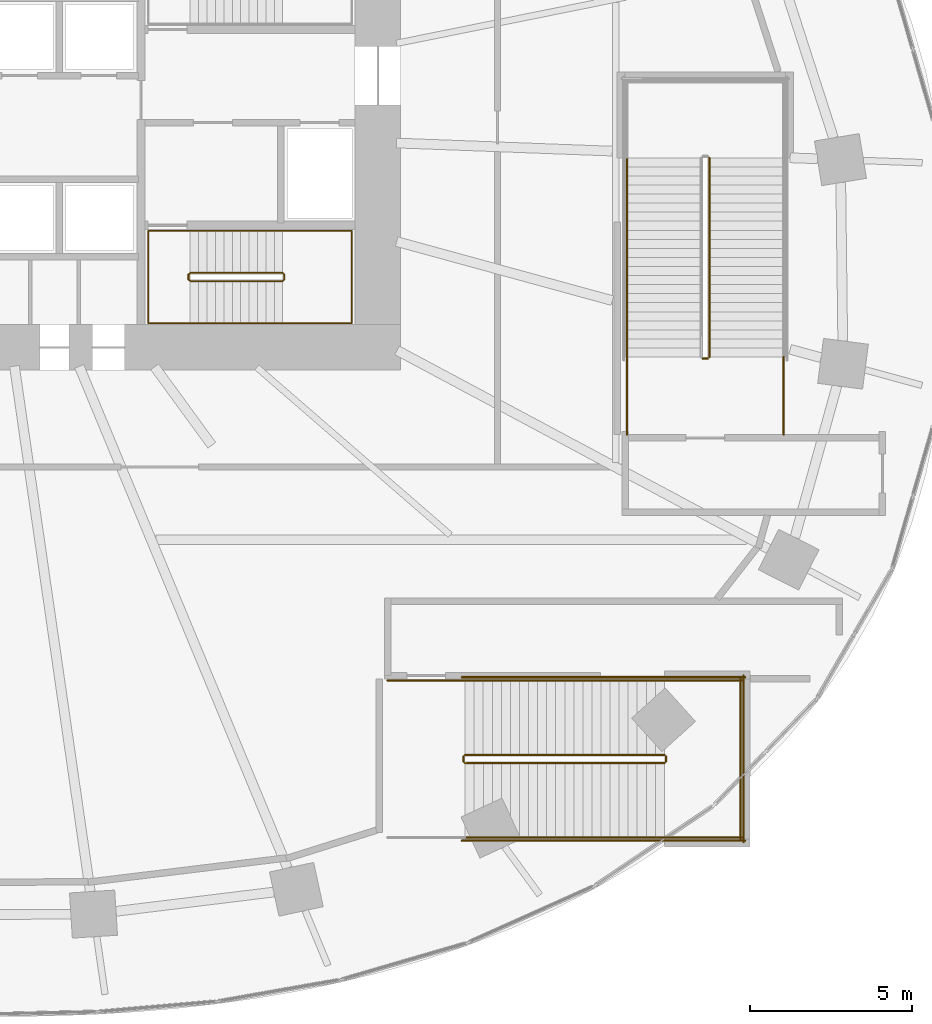
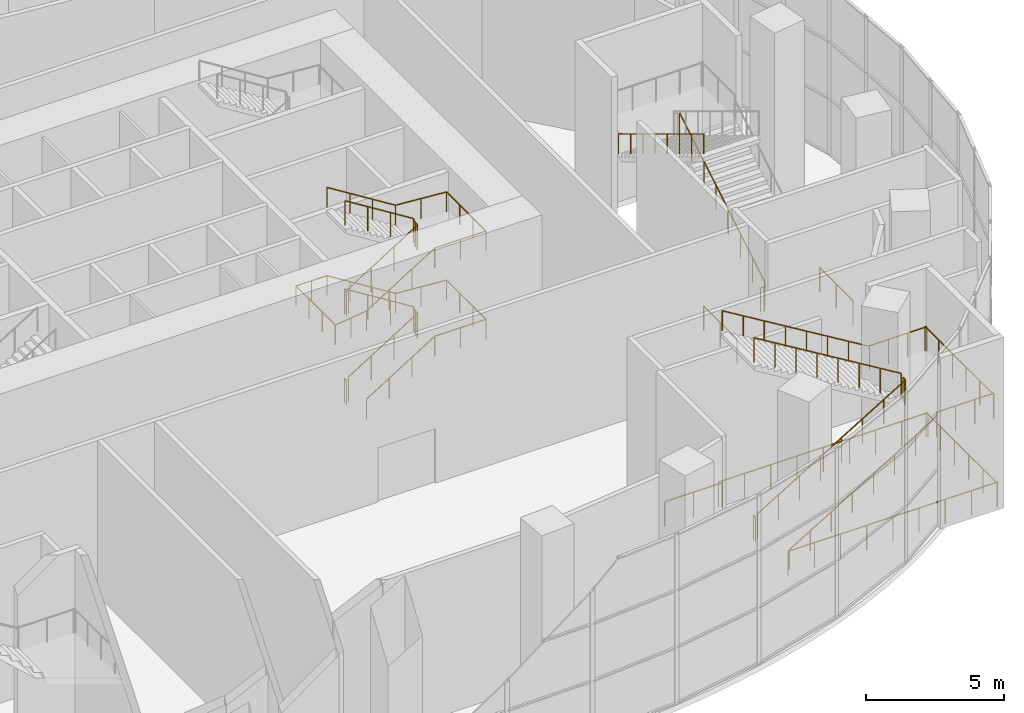
# One storey, part 20 of 22: 21 railings.
"""IFC4 building model written with IfcOpenShell, lengths in metres."""

from ifc_helpers import new_model, si_unit, direction, frame, origin, origin_2d, place, context, subcontext, project, spatial, circle, extrude, material, type_object, element, save


model = new_model("IFC4")

# Units and contexts
model_context = context("Model", 3, precision=1e-05, world=origin(), true_north=direction((0.0, 1.0)))
body_context = subcontext(model_context, "Body", "Model", "MODEL_VIEW")
ifc_project = project(units=[si_unit("LENGTHUNIT", "METRE"), si_unit("AREAUNIT", "SQUARE_METRE"), si_unit("VOLUMEUNIT", "CUBIC_METRE"), si_unit("PLANEANGLEUNIT", "RADIAN"), si_unit("MASSUNIT", "GRAM", prefix="KILO")], contexts=[model_context])

# Site, building, storey
site_placement = place(None, origin())
site = spatial("IfcSite", under=ifc_project, at=site_placement, CompositionType="ELEMENT")
building_placement = place(site_placement, origin())
building = spatial("IfcBuilding", under=site, at=building_placement, Name="Rubra Terraces Tower", CompositionType="ELEMENT")
storey_placement = place(building_placement, frame((0.0, 0.0, 15.0)))
storey = spatial("IfcBuildingStorey", under=building, at=storey_placement, Name="L02", CompositionType="ELEMENT", Elevation=15.0)

# Railings
ifc_material = material(Name="Stainless steel", Category="steel")
railing_type_1 = type_object("IfcRailingType", Name="Core stair guard 1100", PredefinedType="GUARDRAIL", material=ifc_material)
railing_1_placement = place(storey_placement, frame((6.5, -0.25, 0.16259765625)))
element("IfcRailing", 1, at=railing_1_placement, inside=storey, type_object=railing_type_1, Name="L02 stair S4 guard 1", PredefinedType="GUARDRAIL", context=body_context, shape_type="SweptSolid", body=[
    extrude(circle(Radius=0.02392578125, at=origin_2d()), frame((0.0, 0.0, 1.076171875), z_axis=(0.848026770018, 0.0, 0.529953391661), x_axis=(0.0, 1.0, 0.0)), (0.0, 0.0, 1.0), 3.37255859375),
    extrude(circle(Radius=0.02392578125, at=origin_2d()), frame((2.860107421875, 0.0, 2.86328125), z_axis=(0.705375805398, 0.708833529934, 0.0), x_axis=(-0.708833529934, 0.705375805398, 0.0)), (0.0, 0.0, 1.0), 0.070556640625),
    extrude(circle(Radius=0.02392578125, at=origin_2d()), frame((2.909912109375, 0.050048828125, 2.86328125), z_axis=(0.0, 1.0, 0.0), x_axis=(-1.0, 0.0, 0.0)), (0.0, 0.0, 1.0), 0.14990234375),
    extrude(circle(Radius=0.02392578125, at=origin_2d()), frame((2.909912109375, 0.199951171875, 2.86328125), z_axis=(-0.280959487676, 0.282336740067, 0.917250092119), x_axis=(-0.708833529934, -0.705375805398, 0.0)), (0.0, 0.0, 1.0), 0.17724609375),
    extrude(circle(Radius=0.02392578125, at=origin_2d()), frame((2.860107421875, 0.25, 3.02587890625), z_axis=(-0.848026770018, 0.0, 0.529953391661), x_axis=(0.0, -1.0, 0.0)), (0.0, 0.0, 1.0), 3.37255859375),
    extrude(circle(Radius=0.02392578125, at=origin_2d()), frame((0.0, 0.25, 4.8134765625), z_axis=(-0.707106781187, -0.707106781187, 0.0), x_axis=(0.707106781187, -0.707106781187, 0.0)), (0.0, 0.0, 1.0), 0.07080078125),
    extrude(circle(Radius=0.02392578125, at=origin_2d()), frame((-0.050048828125, 0.199951171875, 4.8134765625), z_axis=(0.0, -1.0, 0.0), x_axis=(1.0, 0.0, 0.0)), (0.0, 0.0, 1.0), 0.14990234375),
    extrude(circle(Radius=0.02392578125, at=origin_2d()), frame((-0.050048828125, 0.050048828125, 4.8134765625), z_axis=(0.282227285176, -0.282227285176, 0.916894497205), x_axis=(0.707106781187, 0.707106781187, 0.0)), (0.0, 0.0, 1.0), 0.17724609375),
    extrude(circle(Radius=0.02392578125, at=origin_2d()), frame((0.0, 0.0, 4.97607421875), z_axis=(0.847994237388, 0.0, 0.530005446535), x_axis=(0.0, 1.0, 0.0)), (0.0, 0.0, 1.0), 3.372802734375),
    extrude(circle(Radius=0.02392578125, at=origin_2d()), frame((2.860107421875, 0.0, 6.763671875), z_axis=(0.705375805398, 0.708833529934, 0.0), x_axis=(-0.708833529934, 0.705375805398, 0.0)), (0.0, 0.0, 1.0), 0.070556640625),
    extrude(circle(Radius=0.02392578125, at=origin_2d()), frame((2.909912109375, 0.050048828125, 6.763671875), z_axis=(0.0, 1.0, 0.0), x_axis=(-1.0, 0.0, 0.0)), (0.0, 0.0, 1.0), 0.14990234375),
    extrude(circle(Radius=0.02392578125, at=origin_2d()), frame((2.909912109375, 0.199951171875, 6.763671875), z_axis=(-0.281314826061, 0.282693820306, 0.917031173188), x_axis=(-0.708833529934, -0.705375805398, 0.0)), (0.0, 0.0, 1.0), 0.177001953125),
    extrude(circle(Radius=0.02392578125, at=origin_2d()), frame((2.860107421875, 0.25, 6.92578125), z_axis=(-0.847994237388, 0.0, 0.530005446535), x_axis=(0.0, -1.0, 0.0)), (0.0, 0.0, 1.0), 3.372802734375),
    extrude(circle(Radius=0.02099609375, at=origin_2d()), origin(), (0.0, 0.0, 1.0), 1.052001953125),
    extrude(circle(Radius=0.02099609375, at=origin_2d()), frame((0.953369140625, 0.0, 0.595703125)), (0.0, 0.0, 1.0), 1.052001953125),
    extrude(circle(Radius=0.02099609375, at=origin_2d()), frame((1.90673828125, 0.0, 1.191650390625)), (0.0, 0.0, 1.0), 1.052001953125),
    extrude(circle(Radius=0.02099609375, at=origin_2d()), frame((2.860107421875, 0.0, 1.787353515625)), (0.0, 0.0, 1.0), 1.052001953125),
    extrude(circle(Radius=0.02099609375, at=origin_2d()), frame((2.909912109375, 0.050048828125, 1.787353515625)), (0.0, 0.0, 1.0), 1.052001953125),
    extrude(circle(Radius=0.02099609375, at=origin_2d()), frame((2.909912109375, 0.199951171875, 1.787353515625)), (0.0, 0.0, 1.0), 1.052001953125),
    extrude(circle(Radius=0.02099609375, at=origin_2d()), frame((2.860107421875, 0.25, 1.949951171875)), (0.0, 0.0, 1.0), 1.052001953125),
    extrude(circle(Radius=0.02099609375, at=origin_2d()), frame((1.90673828125, 0.25, 2.545654296875)), (0.0, 0.0, 1.0), 1.052001953125),
    extrude(circle(Radius=0.02099609375, at=origin_2d()), frame((0.953369140625, 0.25, 3.1416015625)), (0.0, 0.0, 1.0), 1.052001953125),
    extrude(circle(Radius=0.02099609375, at=origin_2d()), frame((0.0, 0.25, 3.7373046875)), (0.0, 0.0, 1.0), 1.052001953125),
    extrude(circle(Radius=0.02099609375, at=origin_2d()), frame((-0.050048828125, 0.199951171875, 3.7373046875)), (0.0, 0.0, 1.0), 1.052001953125),
    extrude(circle(Radius=0.02099609375, at=origin_2d()), frame((-0.050048828125, 0.050048828125, 3.7373046875)), (0.0, 0.0, 1.0), 1.052001953125),
    extrude(circle(Radius=0.02099609375, at=origin_2d()), frame((0.0, 0.0, 3.89990234375)), (0.0, 0.0, 1.0), 1.052001953125),
    extrude(circle(Radius=0.02099609375, at=origin_2d()), frame((0.953369140625, 0.0, 4.495849609375)), (0.0, 0.0, 1.0), 1.052001953125),
    extrude(circle(Radius=0.02099609375, at=origin_2d()), frame((1.90673828125, 0.0, 5.091552734375)), (0.0, 0.0, 1.0), 1.052001953125),
    extrude(circle(Radius=0.02099609375, at=origin_2d()), frame((2.860107421875, 0.0, 5.6875)), (0.0, 0.0, 1.0), 1.052001953125),
    extrude(circle(Radius=0.02099609375, at=origin_2d()), frame((2.909912109375, 0.050048828125, 5.6875)), (0.0, 0.0, 1.0), 1.052001953125),
    extrude(circle(Radius=0.02099609375, at=origin_2d()), frame((2.909912109375, 0.199951171875, 5.6875)), (0.0, 0.0, 1.0), 1.052001953125),
    extrude(circle(Radius=0.02099609375, at=origin_2d()), frame((2.860107421875, 0.25, 5.849853515625)), (0.0, 0.0, 1.0), 1.052001953125),
    extrude(circle(Radius=0.02099609375, at=origin_2d()), frame((1.90673828125, 0.25, 6.44580078125)), (0.0, 0.0, 1.0), 1.052001953125),
    extrude(circle(Radius=0.02099609375, at=origin_2d()), frame((0.953369140625, 0.25, 7.04150390625)), (0.0, 0.0, 1.0), 1.052001953125),
    extrude(circle(Radius=0.02099609375, at=origin_2d()), frame((0.0, 0.25, 7.637451171875)), (0.0, 0.0, 1.0), 1.052001953125),
])
railing_2_placement = place(storey_placement, frame((6.449951171875, -0.199951171875, 0.0)))
element("IfcRailing", 2, at=railing_2_placement, inside=storey, type_object=railing_type_1, Name="L02 stair S4 guard 2", PredefinedType="GUARDRAIL", context=body_context, shape_type="SweptSolid", body=[
    extrude(circle(Radius=0.02392578125, at=origin_2d()), frame((0.0, 0.0, 1.076171875), z_axis=(0.0, 1.0, 0.0), x_axis=(-1.0, 0.0, 0.0)), (0.0, 0.0, 1.0), 0.14990234375),
    extrude(circle(Radius=0.02099609375, at=origin_2d()), origin(), (0.0, 0.0, 1.0), 1.052001953125),
    extrude(circle(Radius=0.02099609375, at=origin_2d()), frame((0.0, 0.14990234375, 0.0)), (0.0, 0.0, 1.0), 1.052001953125),
])
railing_type_2 = type_object("IfcRailingType", Name="Core stair handrail 900", PredefinedType="HANDRAIL", material=ifc_material)
railing_3_placement = place(storey_placement, frame((6.5, -1.550048828125, 0.16259765625)))
element("IfcRailing", 3, at=railing_3_placement, inside=storey, type_object=railing_type_2, Name="L02 stair S4 handrail 1", PredefinedType="HANDRAIL", context=body_context, shape_type="SweptSolid", body=[
    extrude(circle(Radius=0.02392578125, at=origin_2d()), frame((0.0, 0.0, 0.8759765625), z_axis=(0.848026770018, 0.0, 0.529953391661), x_axis=(0.0, 1.0, 0.0)), (0.0, 0.0, 1.0), 3.37255859375),
    extrude(circle(Radius=0.02392578125, at=origin_2d()), frame((2.860107421875, 0.0, 2.6630859375), z_axis=(1.0, 0.0, 0.0), x_axis=(0.0, 1.0, 0.0)), (0.0, 0.0, 1.0), 2.139892578125),
    extrude(circle(Radius=0.02392578125, at=origin_2d()), frame((5.0, 0.0, 2.6630859375), z_axis=(0.0, 1.0, 0.0), x_axis=(-1.0, 0.0, 0.0)), (0.0, 0.0, 1.0), 2.85009765625),
    extrude(circle(Radius=0.02392578125, at=origin_2d()), frame((5.0, 2.85009765625, 2.6630859375), z_axis=(-0.997125654253, 0.0, 0.075765623016), x_axis=(0.0, -1.0, 0.0)), (0.0, 0.0, 1.0), 2.14599609375),
    extrude(circle(Radius=0.02392578125, at=origin_2d()), frame((2.860107421875, 2.85009765625, 2.82568359375), z_axis=(-0.848026770018, 0.0, 0.529953391661), x_axis=(0.0, -1.0, 0.0)), (0.0, 0.0, 1.0), 3.37255859375),
    extrude(circle(Radius=0.02392578125, at=origin_2d()), frame((0.0, 2.85009765625, 4.61328125), z_axis=(-1.0, 0.0, 0.0), x_axis=(0.0, -1.0, 0.0)), (0.0, 0.0, 1.0), 1.300048828125),
    extrude(circle(Radius=0.02392578125, at=origin_2d()), frame((-1.300048828125, 2.85009765625, 4.61328125), z_axis=(0.0, -1.0, 0.0), x_axis=(1.0, 0.0, 0.0)), (0.0, 0.0, 1.0), 2.85009765625),
    extrude(circle(Radius=0.02392578125, at=origin_2d()), frame((-1.300048828125, 0.0, 4.61328125), z_axis=(0.992269273945, 0.0, 0.124103537361), x_axis=(0.0, 1.0, 0.0)), (0.0, 0.0, 1.0), 1.31005859375),
    extrude(circle(Radius=0.02392578125, at=origin_2d()), frame((0.0, 0.0, 4.77587890625), z_axis=(0.847994237388, 0.0, 0.530005446535), x_axis=(0.0, 1.0, 0.0)), (0.0, 0.0, 1.0), 3.372802734375),
    extrude(circle(Radius=0.02392578125, at=origin_2d()), frame((2.860107421875, 0.0, 6.5634765625), z_axis=(1.0, 0.0, 0.0), x_axis=(0.0, 1.0, 0.0)), (0.0, 0.0, 1.0), 2.139892578125),
    extrude(circle(Radius=0.02392578125, at=origin_2d()), frame((5.0, 0.0, 6.5634765625), z_axis=(0.0, 1.0, 0.0), x_axis=(-1.0, 0.0, 0.0)), (0.0, 0.0, 1.0), 2.85009765625),
    extrude(circle(Radius=0.02392578125, at=origin_2d()), frame((5.0, 2.85009765625, 6.5634765625), z_axis=(-0.9971342424, 0.0, 0.075652512401), x_axis=(0.0, -1.0, 0.0)), (0.0, 0.0, 1.0), 2.14599609375),
    extrude(circle(Radius=0.02392578125, at=origin_2d()), frame((2.860107421875, 2.85009765625, 6.7255859375), z_axis=(-0.847994237388, 0.0, 0.530005446535), x_axis=(0.0, -1.0, 0.0)), (0.0, 0.0, 1.0), 3.372802734375),
    extrude(circle(Radius=0.02099609375, at=origin_2d()), origin(), (0.0, 0.0, 1.0), 0.851806640625),
    extrude(circle(Radius=0.02099609375, at=origin_2d()), frame((0.953369140625, 0.0, 0.595703125)), (0.0, 0.0, 1.0), 0.851806640625),
    extrude(circle(Radius=0.02099609375, at=origin_2d()), frame((1.90673828125, 0.0, 1.191650390625)), (0.0, 0.0, 1.0), 0.851806640625),
    extrude(circle(Radius=0.02099609375, at=origin_2d()), frame((2.860107421875, 0.0, 1.787353515625)), (0.0, 0.0, 1.0), 0.851806640625),
    extrude(circle(Radius=0.02099609375, at=origin_2d()), frame((3.93017578125, 0.0, 1.787353515625)), (0.0, 0.0, 1.0), 0.851806640625),
    extrude(circle(Radius=0.02099609375, at=origin_2d()), frame((5.0, 0.0, 1.787353515625)), (0.0, 0.0, 1.0), 0.851806640625),
    extrude(circle(Radius=0.02099609375, at=origin_2d()), frame((5.0, 0.949951171875, 1.787353515625)), (0.0, 0.0, 1.0), 0.851806640625),
    extrude(circle(Radius=0.02099609375, at=origin_2d()), frame((5.0, 1.900146484375, 1.787353515625)), (0.0, 0.0, 1.0), 0.851806640625),
    extrude(circle(Radius=0.02099609375, at=origin_2d()), frame((5.0, 2.85009765625, 1.787353515625)), (0.0, 0.0, 1.0), 0.851806640625),
    extrude(circle(Radius=0.02099609375, at=origin_2d()), frame((3.93017578125, 2.85009765625, 1.86865234375)), (0.0, 0.0, 1.0), 0.851806640625),
    extrude(circle(Radius=0.02099609375, at=origin_2d()), frame((2.860107421875, 2.85009765625, 1.949951171875)), (0.0, 0.0, 1.0), 0.851806640625),
    extrude(circle(Radius=0.02099609375, at=origin_2d()), frame((1.90673828125, 2.85009765625, 2.545654296875)), (0.0, 0.0, 1.0), 0.851806640625),
    extrude(circle(Radius=0.02099609375, at=origin_2d()), frame((0.953369140625, 2.85009765625, 3.1416015625)), (0.0, 0.0, 1.0), 0.851806640625),
    extrude(circle(Radius=0.02099609375, at=origin_2d()), frame((0.0, 2.85009765625, 3.7373046875)), (0.0, 0.0, 1.0), 0.851806640625),
    extrude(circle(Radius=0.02099609375, at=origin_2d()), frame((-0.64990234375, 2.85009765625, 3.7373046875)), (0.0, 0.0, 1.0), 0.851806640625),
    extrude(circle(Radius=0.02099609375, at=origin_2d()), frame((-1.300048828125, 2.85009765625, 3.7373046875)), (0.0, 0.0, 1.0), 0.851806640625),
    extrude(circle(Radius=0.02099609375, at=origin_2d()), frame((-1.300048828125, 1.900146484375, 3.7373046875)), (0.0, 0.0, 1.0), 0.851806640625),
    extrude(circle(Radius=0.02099609375, at=origin_2d()), frame((-1.300048828125, 0.949951171875, 3.7373046875)), (0.0, 0.0, 1.0), 0.851806640625),
    extrude(circle(Radius=0.02099609375, at=origin_2d()), frame((-1.300048828125, 0.0, 3.7373046875)), (0.0, 0.0, 1.0), 0.851806640625),
    extrude(circle(Radius=0.02099609375, at=origin_2d()), frame((-0.64990234375, 0.0, 3.818603515625)), (0.0, 0.0, 1.0), 0.851806640625),
    extrude(circle(Radius=0.02099609375, at=origin_2d()), frame((0.0, 0.0, 3.89990234375)), (0.0, 0.0, 1.0), 0.851806640625),
    extrude(circle(Radius=0.02099609375, at=origin_2d()), frame((0.953369140625, 0.0, 4.495849609375)), (0.0, 0.0, 1.0), 0.851806640625),
    extrude(circle(Radius=0.02099609375, at=origin_2d()), frame((1.90673828125, 0.0, 5.091552734375)), (0.0, 0.0, 1.0), 0.851806640625),
    extrude(circle(Radius=0.02099609375, at=origin_2d()), frame((2.860107421875, 0.0, 5.6875)), (0.0, 0.0, 1.0), 0.851806640625),
    extrude(circle(Radius=0.02099609375, at=origin_2d()), frame((3.93017578125, 0.0, 5.6875)), (0.0, 0.0, 1.0), 0.851806640625),
    extrude(circle(Radius=0.02099609375, at=origin_2d()), frame((5.0, 0.0, 5.6875)), (0.0, 0.0, 1.0), 0.851806640625),
    extrude(circle(Radius=0.02099609375, at=origin_2d()), frame((5.0, 0.949951171875, 5.6875)), (0.0, 0.0, 1.0), 0.851806640625),
    extrude(circle(Radius=0.02099609375, at=origin_2d()), frame((5.0, 1.900146484375, 5.6875)), (0.0, 0.0, 1.0), 0.851806640625),
    extrude(circle(Radius=0.02099609375, at=origin_2d()), frame((5.0, 2.85009765625, 5.6875)), (0.0, 0.0, 1.0), 0.851806640625),
    extrude(circle(Radius=0.02099609375, at=origin_2d()), frame((3.93017578125, 2.85009765625, 5.7685546875)), (0.0, 0.0, 1.0), 0.851806640625),
    extrude(circle(Radius=0.02099609375, at=origin_2d()), frame((2.860107421875, 2.85009765625, 5.849853515625)), (0.0, 0.0, 1.0), 0.851806640625),
    extrude(circle(Radius=0.02099609375, at=origin_2d()), frame((1.90673828125, 2.85009765625, 6.44580078125)), (0.0, 0.0, 1.0), 0.851806640625),
    extrude(circle(Radius=0.02099609375, at=origin_2d()), frame((0.953369140625, 2.85009765625, 7.04150390625)), (0.0, 0.0, 1.0), 0.851806640625),
    extrude(circle(Radius=0.02099609375, at=origin_2d()), frame((0.0, 2.85009765625, 7.637451171875)), (0.0, 0.0, 1.0), 0.851806640625),
])
railing_type_3 = type_object("IfcRailingType", Name="Public stair guard 1100", PredefinedType="GUARDRAIL", material=ifc_material)
railing_4_placement = place(storey_placement, frame((22.550048828125, -2.60009765625, 0.169677734375)))
element("IfcRailing", 4, at=railing_4_placement, inside=storey, type_object=railing_type_3, Name="L02 PS2 stair guard 1", PredefinedType="GUARDRAIL", context=body_context, shape_type="SweptSolid", body=[
    extrude(circle(Radius=0.02392578125, at=origin_2d()), frame((0.0, 0.0, 1.076171875), z_axis=(0.0, 0.855394938475, 0.51797635007), x_axis=(-1.0, 0.0, 0.0)), (0.0, 0.0, 1.0), 7.201416015625),
    extrude(circle(Radius=0.02099609375, at=origin_2d()), origin(), (0.0, 0.0, 1.0), 1.052001953125),
    extrude(circle(Radius=0.02099609375, at=origin_2d()), frame((0.0, 0.880126953125, 0.532958984375)), (0.0, 0.0, 1.0), 1.052001953125),
    extrude(circle(Radius=0.02099609375, at=origin_2d()), frame((0.0, 1.760009765625, 1.065673828125)), (0.0, 0.0, 1.0), 1.052001953125),
    extrude(circle(Radius=0.02099609375, at=origin_2d()), frame((0.0, 2.64013671875, 1.5986328125)), (0.0, 0.0, 1.0), 1.052001953125),
    extrude(circle(Radius=0.02099609375, at=origin_2d()), frame((0.0, 3.52001953125, 2.131591796875)), (0.0, 0.0, 1.0), 1.052001953125),
    extrude(circle(Radius=0.02099609375, at=origin_2d()), frame((0.0, 4.400146484375, 2.66455078125)), (0.0, 0.0, 1.0), 1.052001953125),
    extrude(circle(Radius=0.02099609375, at=origin_2d()), frame((0.0, 5.280029296875, 3.197265625)), (0.0, 0.0, 1.0), 1.052001953125),
    extrude(circle(Radius=0.02099609375, at=origin_2d()), frame((0.0, 6.16015625, 3.730224609375)), (0.0, 0.0, 1.0), 1.052001953125),
])
railing_5_placement = place(storey_placement, frame((22.5, -2.64990234375, 0.0)))
element("IfcRailing", 5, at=railing_5_placement, inside=storey, type_object=railing_type_3, Name="L02 PS2 stair guard 7", PredefinedType="GUARDRAIL", context=body_context, shape_type="SweptSolid", body=[
    extrude(circle(Radius=0.02392578125, at=origin_2d()), frame((0.0, 0.0, 1.076171875), z_axis=(-1.0, 0.0, 0.0), x_axis=(0.0, -1.0, 0.0)), (0.0, 0.0, 1.0), 0.14990234375),
    extrude(circle(Radius=0.02099609375, at=origin_2d()), origin(), (0.0, 0.0, 1.0), 1.052001953125),
    extrude(circle(Radius=0.02099609375, at=origin_2d()), frame((-0.14990234375, 0.0, 0.0)), (0.0, 0.0, 1.0), 1.052001953125),
])
for number, where, name in (
    (6, (24.85009765625, -5.0, 0.0), "L02 PS2 stair guard 8"),
    (7, (20.0, -5.0, 0.0), "L02 PS2 stair guard 9"),
):
    element("IfcRailing", number, at=place(storey_placement, frame(where)), inside=storey, type_object=railing_type_3, Name=name, PredefinedType="GUARDRAIL", context=body_context, shape_type="SweptSolid", body=[
        extrude(circle(Radius=0.02392578125, at=origin_2d()), frame((0.0, 0.0, 1.076171875), z_axis=(0.0, 1.0, 0.0), x_axis=(-1.0, 0.0, 0.0)), (0.0, 0.0, 1.0), 2.39990234375),
        extrude(circle(Radius=0.02099609375, at=origin_2d()), origin(), (0.0, 0.0, 1.0), 1.052001953125),
        extrude(circle(Radius=0.02099609375, at=origin_2d()), frame((0.0, 1.199951171875, 0.0)), (0.0, 0.0, 1.0), 1.052001953125),
        extrude(circle(Radius=0.02099609375, at=origin_2d()), frame((0.0, 2.39990234375, 0.0)), (0.0, 0.0, 1.0), 1.052001953125),
    ])
railing_6_placement = place(storey_placement, frame((15.0, -15.14990234375, 0.169677734375)))
element("IfcRailing", 8, at=railing_6_placement, inside=storey, type_object=railing_type_3, Name="L02 PS4 stair guard 1", PredefinedType="GUARDRAIL", context=body_context, shape_type="SweptSolid", body=[
    extrude(circle(Radius=0.02392578125, at=origin_2d()), frame((0.0, 0.0, 1.076171875), z_axis=(0.855385842406, 0.0, 0.517991371175), x_axis=(0.0, 1.0, 0.0)), (0.0, 0.0, 1.0), 7.201416015625),
    extrude(circle(Radius=0.02099609375, at=origin_2d()), origin(), (0.0, 0.0, 1.0), 1.052001953125),
    extrude(circle(Radius=0.02099609375, at=origin_2d()), frame((0.8798828125, 0.0, 0.532958984375)), (0.0, 0.0, 1.0), 1.052001953125),
    extrude(circle(Radius=0.02099609375, at=origin_2d()), frame((1.760009765625, 0.0, 1.065673828125)), (0.0, 0.0, 1.0), 1.052001953125),
    extrude(circle(Radius=0.02099609375, at=origin_2d()), frame((2.639892578125, 0.0, 1.5986328125)), (0.0, 0.0, 1.0), 1.052001953125),
    extrude(circle(Radius=0.02099609375, at=origin_2d()), frame((3.52001953125, 0.0, 2.131591796875)), (0.0, 0.0, 1.0), 1.052001953125),
    extrude(circle(Radius=0.02099609375, at=origin_2d()), frame((4.39990234375, 0.0, 2.66455078125)), (0.0, 0.0, 1.0), 1.052001953125),
    extrude(circle(Radius=0.02099609375, at=origin_2d()), frame((5.280029296875, 0.0, 3.197265625)), (0.0, 0.0, 1.0), 1.052001953125),
    extrude(circle(Radius=0.02099609375, at=origin_2d()), frame((6.159912109375, 0.0, 3.730224609375)), (0.0, 0.0, 1.0), 1.052001953125),
])
railing_7_placement = place(storey_placement, frame((21.2099609375, -15.10009765625, 3.89990234375)))
element("IfcRailing", 9, at=railing_7_placement, inside=storey, type_object=railing_type_3, Name="L02 PS4 stair guard 2", PredefinedType="GUARDRAIL", context=body_context, shape_type="SweptSolid", body=[
    extrude(circle(Radius=0.02392578125, at=origin_2d()), frame((0.0, 0.0, 1.076171875), z_axis=(0.0, 1.0, 0.0), x_axis=(-1.0, 0.0, 0.0)), (0.0, 0.0, 1.0), 0.150146484375),
    extrude(circle(Radius=0.02099609375, at=origin_2d()), origin(), (0.0, 0.0, 1.0), 1.052001953125),
    extrude(circle(Radius=0.02099609375, at=origin_2d()), frame((0.0, 0.150146484375, 0.0)), (0.0, 0.0, 1.0), 1.052001953125),
])
for number, where, name in (
    (10, (21.159912109375, -17.449951171875, 3.89990234375), "L02 PS4 stair guard 3"),
    (11, (21.159912109375, -12.60009765625, 3.89990234375), "L02 PS4 stair guard 4"),
):
    element("IfcRailing", number, at=place(storey_placement, frame(where)), inside=storey, type_object=railing_type_3, Name=name, PredefinedType="GUARDRAIL", context=body_context, shape_type="SweptSolid", body=[
        extrude(circle(Radius=0.02392578125, at=origin_2d()), frame((0.0, 0.0, 1.076171875), z_axis=(1.0, 0.0, 0.0), x_axis=(0.0, 1.0, 0.0)), (0.0, 0.0, 1.0), 2.400146484375),
        extrude(circle(Radius=0.02099609375, at=origin_2d()), origin(), (0.0, 0.0, 1.0), 1.052001953125),
        extrude(circle(Radius=0.02099609375, at=origin_2d()), frame((0.800048828125, 0.0, 0.0)), (0.0, 0.0, 1.0), 1.052001953125),
        extrude(circle(Radius=0.02099609375, at=origin_2d()), frame((1.60009765625, 0.0, 0.0)), (0.0, 0.0, 1.0), 1.052001953125),
        extrude(circle(Radius=0.02099609375, at=origin_2d()), frame((2.400146484375, 0.0, 0.0)), (0.0, 0.0, 1.0), 1.052001953125),
    ])
railing_8_placement = place(storey_placement, frame((23.510009765625, -17.5, 3.89990234375)))
element("IfcRailing", 12, at=railing_8_placement, inside=storey, type_object=railing_type_3, Name="L02 PS4 stair guard 5", PredefinedType="GUARDRAIL", context=body_context, shape_type="SweptSolid", body=[
    extrude(circle(Radius=0.02392578125, at=origin_2d()), frame((0.0, 0.0, 1.076171875), z_axis=(0.0, 1.0, 0.0), x_axis=(-1.0, 0.0, 0.0)), (0.0, 0.0, 1.0), 4.949951171875),
    extrude(circle(Radius=0.02099609375, at=origin_2d()), origin(), (0.0, 0.0, 1.0), 1.052001953125),
    extrude(circle(Radius=0.02099609375, at=origin_2d()), frame((0.0, 0.989990234375, 0.0)), (0.0, 0.0, 1.0), 1.052001953125),
    extrude(circle(Radius=0.02099609375, at=origin_2d()), frame((0.0, 1.97998046875, 0.0)), (0.0, 0.0, 1.0), 1.052001953125),
    extrude(circle(Radius=0.02099609375, at=origin_2d()), frame((0.0, 2.969970703125, 0.0)), (0.0, 0.0, 1.0), 1.052001953125),
    extrude(circle(Radius=0.02099609375, at=origin_2d()), frame((0.0, 3.9599609375, 0.0)), (0.0, 0.0, 1.0), 1.052001953125),
    extrude(circle(Radius=0.02099609375, at=origin_2d()), frame((0.0, 4.949951171875, 0.0)), (0.0, 0.0, 1.0), 1.052001953125),
])
railing_9_placement = place(storey_placement, frame((21.159912109375, -14.89990234375, 4.069580078125)))
element("IfcRailing", 13, at=railing_9_placement, inside=storey, type_object=railing_type_3, Name="L02 PS4 stair guard 6", PredefinedType="GUARDRAIL", context=body_context, shape_type="SweptSolid", body=[
    extrude(circle(Radius=0.02392578125, at=origin_2d()), frame((0.0, 0.0, 1.076171875), z_axis=(-0.855370820849, 0.0, 0.518016176234), x_axis=(0.0, -1.0, 0.0)), (0.0, 0.0, 1.0), 7.201416015625),
    extrude(circle(Radius=0.02099609375, at=origin_2d()), origin(), (0.0, 0.0, 1.0), 1.052001953125),
    extrude(circle(Radius=0.02099609375, at=origin_2d()), frame((-0.8798828125, 0.0, 0.532958984375)), (0.0, 0.0, 1.0), 1.052001953125),
    extrude(circle(Radius=0.02099609375, at=origin_2d()), frame((-1.760009765625, 0.0, 1.06591796875)), (0.0, 0.0, 1.0), 1.052001953125),
    extrude(circle(Radius=0.02099609375, at=origin_2d()), frame((-2.639892578125, 0.0, 1.598876953125)), (0.0, 0.0, 1.0), 1.052001953125),
    extrude(circle(Radius=0.02099609375, at=origin_2d()), frame((-3.52001953125, 0.0, 2.131591796875)), (0.0, 0.0, 1.0), 1.052001953125),
    extrude(circle(Radius=0.02099609375, at=origin_2d()), frame((-4.39990234375, 0.0, 2.66455078125)), (0.0, 0.0, 1.0), 1.052001953125),
    extrude(circle(Radius=0.02099609375, at=origin_2d()), frame((-5.280029296875, 0.0, 3.197509765625)), (0.0, 0.0, 1.0), 1.052001953125),
    extrude(circle(Radius=0.02099609375, at=origin_2d()), frame((-6.159912109375, 0.0, 3.73046875)), (0.0, 0.0, 1.0), 1.052001953125),
])
railing_10_placement = place(storey_placement, frame((14.949951171875, -15.10009765625, 0.0)))
element("IfcRailing", 14, at=railing_10_placement, inside=storey, type_object=railing_type_3, Name="L02 PS4 stair guard 7", PredefinedType="GUARDRAIL", context=body_context, shape_type="SweptSolid", body=[
    extrude(circle(Radius=0.02392578125, at=origin_2d()), frame((0.0, 0.0, 1.076171875), z_axis=(0.0, 1.0, 0.0), x_axis=(-1.0, 0.0, 0.0)), (0.0, 0.0, 1.0), 0.150146484375),
    extrude(circle(Radius=0.02099609375, at=origin_2d()), origin(), (0.0, 0.0, 1.0), 1.052001953125),
    extrude(circle(Radius=0.02099609375, at=origin_2d()), frame((0.0, 0.150146484375, 0.0)), (0.0, 0.0, 1.0), 1.052001953125),
])
railing_11_placement = place(storey_placement, frame((12.60009765625, -12.60009765625, 0.0)))
element("IfcRailing", 15, at=railing_11_placement, inside=storey, type_object=railing_type_3, Name="L02 PS4 stair guard 9", PredefinedType="GUARDRAIL", context=body_context, shape_type="SweptSolid", body=[
    extrude(circle(Radius=0.02392578125, at=origin_2d()), frame((0.0, 0.0, 1.076171875), z_axis=(1.0, 0.0, 0.0), x_axis=(0.0, 1.0, 0.0)), (0.0, 0.0, 1.0), 2.39990234375),
    extrude(circle(Radius=0.02099609375, at=origin_2d()), origin(), (0.0, 0.0, 1.0), 1.052001953125),
    extrude(circle(Radius=0.02099609375, at=origin_2d()), frame((1.199951171875, 0.0, 0.0)), (0.0, 0.0, 1.0), 1.052001953125),
    extrude(circle(Radius=0.02099609375, at=origin_2d()), frame((2.39990234375, 0.0, 0.0)), (0.0, 0.0, 1.0), 1.052001953125),
])
for number, where, name in (
    (16, (14.89990234375, -17.550048828125, 0.0), "L02 PS4 stair guard 10"),
    (17, (14.89990234375, -12.5, 0.0), "L02 PS4 stair guard 11"),
):
    element("IfcRailing", number, at=place(storey_placement, frame(where)), inside=storey, type_object=railing_type_3, Name=name, PredefinedType="GUARDRAIL", context=body_context, shape_type="SweptSolid", body=[
        extrude(circle(Radius=0.02392578125, at=origin_2d()), frame((0.0, 0.0, 1.076171875), z_axis=(1.0, 0.0, 0.0), x_axis=(0.0, 1.0, 0.0)), (0.0, 0.0, 1.0), 8.760009765625),
        extrude(circle(Radius=0.02099609375, at=origin_2d()), origin(), (0.0, 0.0, 1.0), 1.052001953125),
        extrude(circle(Radius=0.02099609375, at=origin_2d()), frame((1.094970703125, 0.0, 0.0)), (0.0, 0.0, 1.0), 1.052001953125),
        extrude(circle(Radius=0.02099609375, at=origin_2d()), frame((2.18994140625, 0.0, 0.0)), (0.0, 0.0, 1.0), 1.052001953125),
        extrude(circle(Radius=0.02099609375, at=origin_2d()), frame((3.284912109375, 0.0, 0.0)), (0.0, 0.0, 1.0), 1.052001953125),
        extrude(circle(Radius=0.02099609375, at=origin_2d()), frame((4.3798828125, 0.0, 0.0)), (0.0, 0.0, 1.0), 1.052001953125),
        extrude(circle(Radius=0.02099609375, at=origin_2d()), frame((5.47509765625, 0.0, 0.0)), (0.0, 0.0, 1.0), 1.052001953125),
        extrude(circle(Radius=0.02099609375, at=origin_2d()), frame((6.570068359375, 0.0, 0.0)), (0.0, 0.0, 1.0), 1.052001953125),
        extrude(circle(Radius=0.02099609375, at=origin_2d()), frame((7.6650390625, 0.0, 0.0)), (0.0, 0.0, 1.0), 1.052001953125),
        extrude(circle(Radius=0.02099609375, at=origin_2d()), frame((8.760009765625, 0.0, 0.0)), (0.0, 0.0, 1.0), 1.052001953125),
    ])
railing_12_placement = place(storey_placement, frame((23.610107421875, -17.60009765625, 0.0)))
element("IfcRailing", 18, at=railing_12_placement, inside=storey, type_object=railing_type_3, Name="L02 PS4 stair guard 12", PredefinedType="GUARDRAIL", context=body_context, shape_type="SweptSolid", body=[
    extrude(circle(Radius=0.02392578125, at=origin_2d()), frame((0.0, 0.0, 1.076171875), z_axis=(0.0, 1.0, 0.0), x_axis=(-1.0, 0.0, 0.0)), (0.0, 0.0, 1.0), 5.150146484375),
    extrude(circle(Radius=0.02099609375, at=origin_2d()), origin(), (0.0, 0.0, 1.0), 1.052001953125),
    extrude(circle(Radius=0.02099609375, at=origin_2d()), frame((0.0, 1.030029296875, 0.0)), (0.0, 0.0, 1.0), 1.052001953125),
    extrude(circle(Radius=0.02099609375, at=origin_2d()), frame((0.0, 2.06005859375, 0.0)), (0.0, 0.0, 1.0), 1.052001953125),
    extrude(circle(Radius=0.02099609375, at=origin_2d()), frame((0.0, 3.090087890625, 0.0)), (0.0, 0.0, 1.0), 1.052001953125),
    extrude(circle(Radius=0.02099609375, at=origin_2d()), frame((0.0, 4.1201171875, 0.0)), (0.0, 0.0, 1.0), 1.052001953125),
    extrude(circle(Radius=0.02099609375, at=origin_2d()), frame((0.0, 5.150146484375, 0.0)), (0.0, 0.0, 1.0), 1.052001953125),
])
railing_type_4 = type_object("IfcRailingType", Name="Public stair handrail 900", PredefinedType="HANDRAIL", material=ifc_material)
railing_13_placement = place(storey_placement, frame((20.0, 3.56005859375, 4.069580078125)))
element("IfcRailing", 19, at=railing_13_placement, inside=storey, type_object=railing_type_4, Name="L02 PS2 stair handrail 2", PredefinedType="HANDRAIL", context=body_context, shape_type="SweptSolid", body=[
    extrude(circle(Radius=0.02392578125, at=origin_2d()), frame((0.0, 0.0, 0.8759765625), z_axis=(0.0, -0.855379917629, 0.518001154937), x_axis=(1.0, 0.0, 0.0)), (0.0, 0.0, 1.0), 7.20166015625),
    extrude(circle(Radius=0.02099609375, at=origin_2d()), origin(), (0.0, 0.0, 1.0), 0.851806640625),
    extrude(circle(Radius=0.02099609375, at=origin_2d()), frame((0.0, -0.880126953125, 0.532958984375)), (0.0, 0.0, 1.0), 0.851806640625),
    extrude(circle(Radius=0.02099609375, at=origin_2d()), frame((0.0, -1.760009765625, 1.06591796875)), (0.0, 0.0, 1.0), 0.851806640625),
    extrude(circle(Radius=0.02099609375, at=origin_2d()), frame((0.0, -2.64013671875, 1.598876953125)), (0.0, 0.0, 1.0), 0.851806640625),
    extrude(circle(Radius=0.02099609375, at=origin_2d()), frame((0.0, -3.52001953125, 2.131591796875)), (0.0, 0.0, 1.0), 0.851806640625),
    extrude(circle(Radius=0.02099609375, at=origin_2d()), frame((0.0, -4.400146484375, 2.66455078125)), (0.0, 0.0, 1.0), 0.851806640625),
    extrude(circle(Radius=0.02099609375, at=origin_2d()), frame((0.0, -5.280029296875, 3.197509765625)), (0.0, 0.0, 1.0), 0.851806640625),
    extrude(circle(Radius=0.02099609375, at=origin_2d()), frame((0.0, -6.16015625, 3.73046875)), (0.0, 0.0, 1.0), 0.851806640625),
])
railing_14_placement = place(storey_placement, frame((15.0, -17.449951171875, 0.169677734375)))
element("IfcRailing", 20, at=railing_14_placement, inside=storey, type_object=railing_type_4, Name="L02 PS4 stair handrail 1", PredefinedType="HANDRAIL", context=body_context, shape_type="SweptSolid", body=[
    extrude(circle(Radius=0.02392578125, at=origin_2d()), frame((0.0, 0.0, 0.8759765625), z_axis=(0.855385842406, 0.0, 0.517991371175), x_axis=(0.0, 1.0, 0.0)), (0.0, 0.0, 1.0), 7.201416015625),
    extrude(circle(Radius=0.02099609375, at=origin_2d()), origin(), (0.0, 0.0, 1.0), 0.851806640625),
    extrude(circle(Radius=0.02099609375, at=origin_2d()), frame((0.8798828125, 0.0, 0.532958984375)), (0.0, 0.0, 1.0), 0.851806640625),
    extrude(circle(Radius=0.02099609375, at=origin_2d()), frame((1.760009765625, 0.0, 1.065673828125)), (0.0, 0.0, 1.0), 0.851806640625),
    extrude(circle(Radius=0.02099609375, at=origin_2d()), frame((2.639892578125, 0.0, 1.5986328125)), (0.0, 0.0, 1.0), 0.851806640625),
    extrude(circle(Radius=0.02099609375, at=origin_2d()), frame((3.52001953125, 0.0, 2.131591796875)), (0.0, 0.0, 1.0), 0.851806640625),
    extrude(circle(Radius=0.02099609375, at=origin_2d()), frame((4.39990234375, 0.0, 2.66455078125)), (0.0, 0.0, 1.0), 0.851806640625),
    extrude(circle(Radius=0.02099609375, at=origin_2d()), frame((5.280029296875, 0.0, 3.197265625)), (0.0, 0.0, 1.0), 0.851806640625),
    extrude(circle(Radius=0.02099609375, at=origin_2d()), frame((6.159912109375, 0.0, 3.730224609375)), (0.0, 0.0, 1.0), 0.851806640625),
])
railing_15_placement = place(storey_placement, frame((21.159912109375, -12.60009765625, 4.069580078125)))
element("IfcRailing", 21, at=railing_15_placement, inside=storey, type_object=railing_type_4, Name="L02 PS4 stair handrail 2", PredefinedType="HANDRAIL", context=body_context, shape_type="SweptSolid", body=[
    extrude(circle(Radius=0.02392578125, at=origin_2d()), frame((0.0, 0.0, 0.8759765625), z_axis=(-0.855370820849, 0.0, 0.518016176234), x_axis=(0.0, -1.0, 0.0)), (0.0, 0.0, 1.0), 7.201416015625),
    extrude(circle(Radius=0.02099609375, at=origin_2d()), origin(), (0.0, 0.0, 1.0), 0.851806640625),
    extrude(circle(Radius=0.02099609375, at=origin_2d()), frame((-0.8798828125, 0.0, 0.532958984375)), (0.0, 0.0, 1.0), 0.851806640625),
    extrude(circle(Radius=0.02099609375, at=origin_2d()), frame((-1.760009765625, 0.0, 1.06591796875)), (0.0, 0.0, 1.0), 0.851806640625),
    extrude(circle(Radius=0.02099609375, at=origin_2d()), frame((-2.639892578125, 0.0, 1.598876953125)), (0.0, 0.0, 1.0), 0.851806640625),
    extrude(circle(Radius=0.02099609375, at=origin_2d()), frame((-3.52001953125, 0.0, 2.131591796875)), (0.0, 0.0, 1.0), 0.851806640625),
    extrude(circle(Radius=0.02099609375, at=origin_2d()), frame((-4.39990234375, 0.0, 2.66455078125)), (0.0, 0.0, 1.0), 0.851806640625),
    extrude(circle(Radius=0.02099609375, at=origin_2d()), frame((-5.280029296875, 0.0, 3.197509765625)), (0.0, 0.0, 1.0), 0.851806640625),
    extrude(circle(Radius=0.02099609375, at=origin_2d()), frame((-6.159912109375, 0.0, 3.73046875)), (0.0, 0.0, 1.0), 0.851806640625),
])

save(model, "model.ifc")
